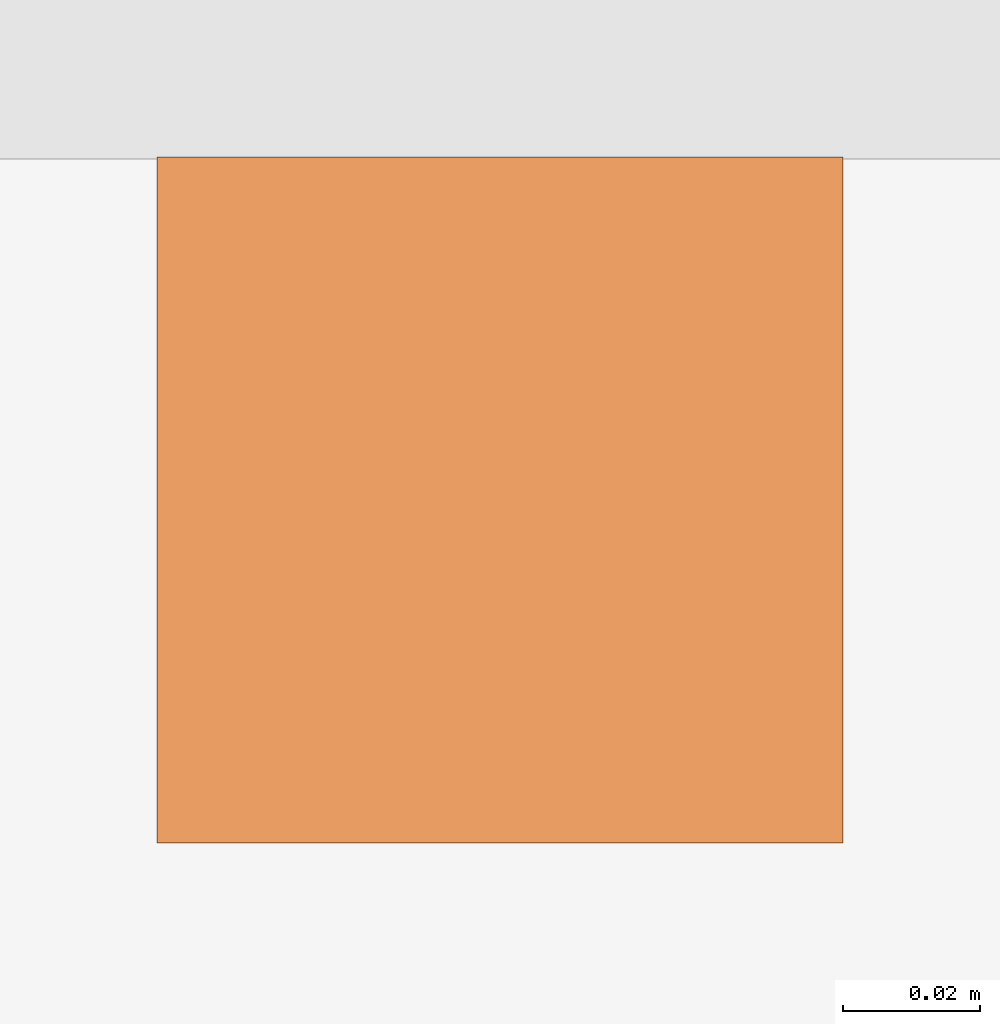
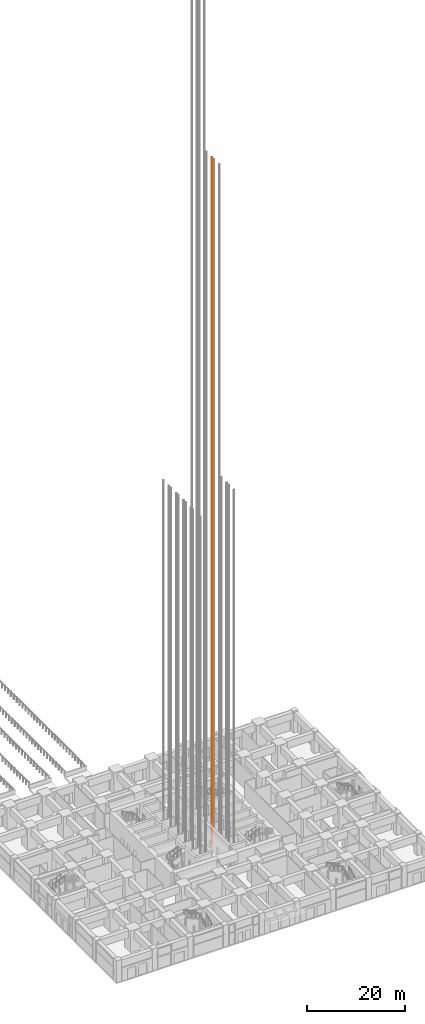
# One storey, part 73 of 81: 1 proxy.
"""IFC4 building model written with IfcOpenShell, lengths in metres."""

from ifc_helpers import new_model, si_unit, direction, frame, origin, origin_2d, place, context, subcontext, project, spatial, rectangle, extrude, material, type_object, element, save


model = new_model("IFC4")

# Units and contexts
model_context = context("Model", 3, precision=1e-05, world=origin(), true_north=direction((0.0, 1.0)))
body_context = subcontext(model_context, "Body", "Model", "MODEL_VIEW")
ifc_project = project(units=[si_unit("LENGTHUNIT", "METRE"), si_unit("AREAUNIT", "SQUARE_METRE"), si_unit("VOLUMEUNIT", "CUBIC_METRE"), si_unit("PLANEANGLEUNIT", "RADIAN"), si_unit("MASSUNIT", "GRAM", prefix="KILO")], contexts=[model_context])

# Site, building, storey
site_placement = place(None, origin())
site = spatial("IfcSite", under=ifc_project, at=site_placement, CompositionType="ELEMENT")
building_placement = place(site_placement, origin())
building = spatial("IfcBuilding", under=site, at=building_placement, Name="Rekha Terrace Tower", CompositionType="ELEMENT")
storey_placement = place(building_placement, origin())
storey = spatial("IfcBuildingStorey", under=building, at=storey_placement, Name="L00", CompositionType="ELEMENT", Elevation=0.0)

# Proxy
ifc_material = material(Name="Steel guide rail", Category="steel")
building_element_proxy_type = type_object("IfcBuildingElementProxyType", Name="LR1 100 lift guide rail", PredefinedType="ELEMENT", material=ifc_material)
proxy_placement = place(storey_placement, frame((41.14990234375, 32.800048828125, 0.0), z_axis=(0.0, 0.0, 1.0), x_axis=(1.0, 0.0, 0.0)))
element("IfcBuildingElementProxy", 1, at=proxy_placement, inside=storey, type_object=building_element_proxy_type, Name="Lift SH4 guide rail 1", PredefinedType="ELEMENT", context=body_context, shape_type="SweptSolid", body=[
    extrude(rectangle(XDim=0.10009765625, YDim=0.10009765625, at=origin_2d()), origin(), (0.0, 0.0, 1.0), 170.60009765625),
])

save(model, "model.ifc")
